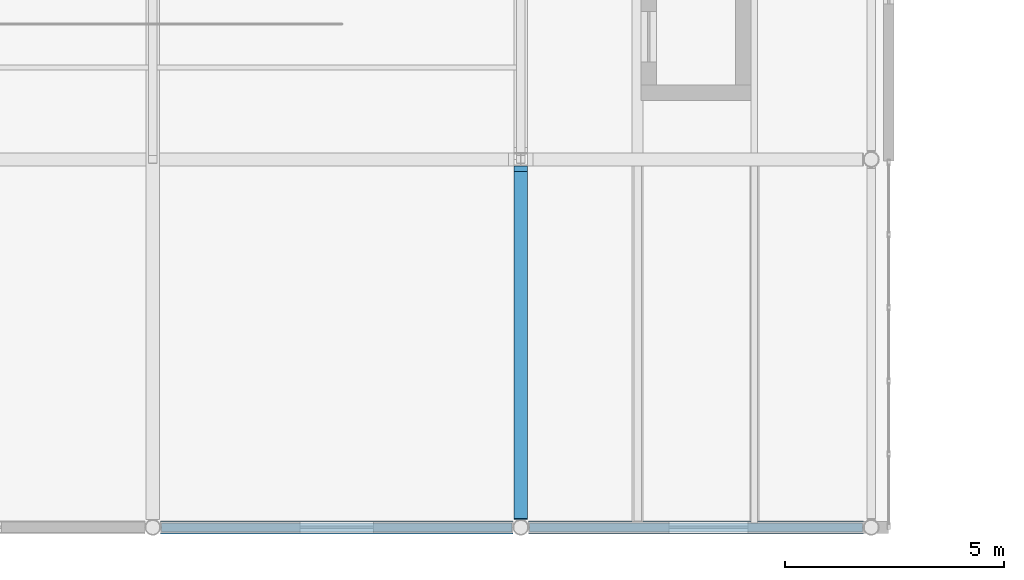
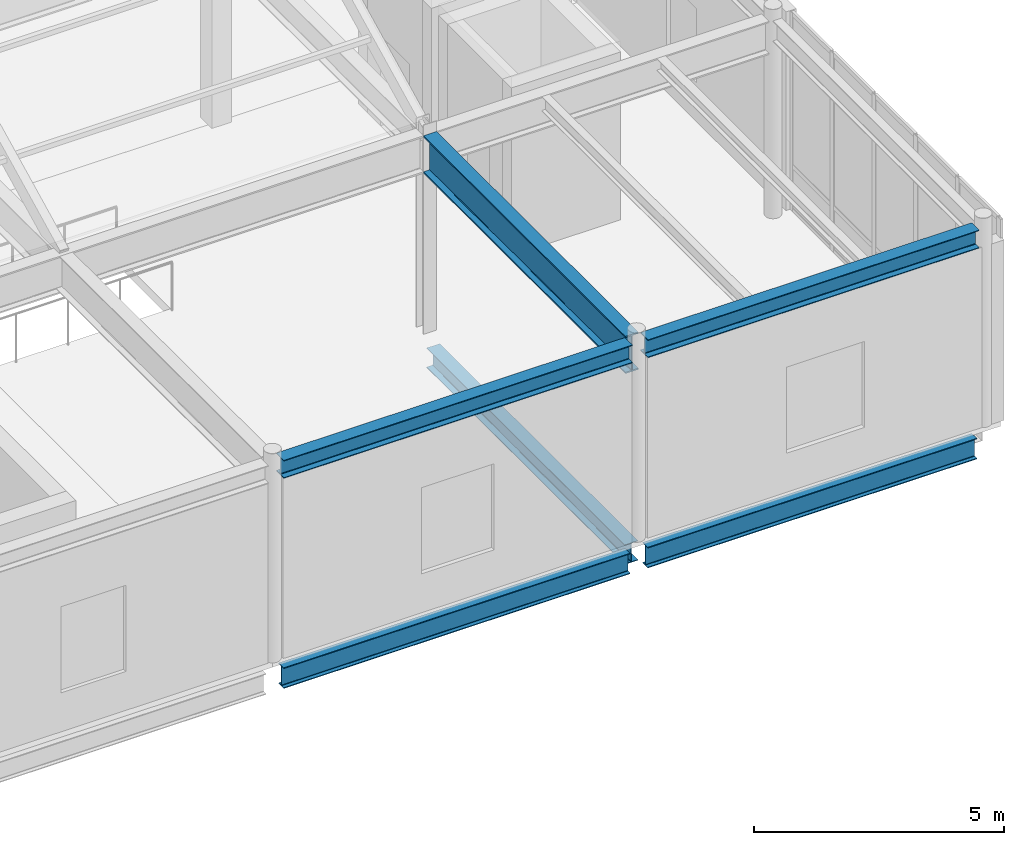
# One storey, part 40 of 91: 6 beams.
"""IFC4 building model written with IfcOpenShell, lengths in metres."""

from ifc_helpers import new_model, si_unit, direction, frame, origin, origin_2d, place, context, subcontext, project, spatial, i_section, extrude, material, material_profile, profile_set, type_object, element, save


model = new_model("IFC4")

# Units and contexts
model_context = context("Model", 3, precision=1e-05, world=origin(), true_north=direction((0.0, 1.0)))
body_context = subcontext(model_context, "Body", "Model", "MODEL_VIEW")
ifc_project = project(units=[si_unit("LENGTHUNIT", "METRE"), si_unit("AREAUNIT", "SQUARE_METRE"), si_unit("VOLUMEUNIT", "CUBIC_METRE"), si_unit("PLANEANGLEUNIT", "RADIAN"), si_unit("MASSUNIT", "GRAM", prefix="KILO"), si_unit("THERMODYNAMICTEMPERATUREUNIT", "KELVIN")], contexts=[model_context])

# Site, building, storey
site_placement = place(None, origin())
site = spatial("IfcSite", under=ifc_project, at=site_placement, CompositionType="ELEMENT")
building_placement = place(site_placement, origin())
building = spatial("IfcBuilding", under=site, at=building_placement, Name="Lustrewick Department Store", CompositionType="ELEMENT")
storey_placement = place(building_placement, frame((0.0, 0.0, 21.60009765625)))
storey = spatial("IfcBuildingStorey", under=building, at=storey_placement, Name="L05", CompositionType="ELEMENT", Elevation=21.60009765625)

# Beams
ifc_material_1 = material(Name="Structural steel Q355C", Category="steel")
ifc_material_profile_1 = material_profile(ifc_material_1, i_section(OverallWidth=0.302001953125, OverallDepth=0.912109375, WebThickness=0.01806640625, FlangeThickness=0.033935546875, FilletRadius=0.02392578125, at=origin_2d()), Name="HN 912x302x18x34")
ifc_profile_set_1 = profile_set([ifc_material_profile_1], Name="Structural steel Q355C")
beam_type_1 = type_object("IfcBeamType", Name="G01", PredefinedType="BEAM", material=ifc_profile_set_1)
beam_1_placement = place(storey_placement, frame((142.800048828125, 16.97802734375, 4.388916015625), z_axis=(0.0, 1.0, 0.0), x_axis=(-1.0, 0.0, 0.0)))
element("IfcBeam", 1, at=beam_1_placement, inside=storey, type_object=beam_type_1, Name="L05 V3 Girder G01", PredefinedType="BEAM", context=body_context, shape_type="SweptSolid", body=[
    extrude(i_section(OverallWidth=0.302001953125, OverallDepth=0.912109375, WebThickness=0.01806640625, FlangeThickness=0.033935546875, FilletRadius=0.02392578125, at=origin_2d()), origin(), (0.0, 0.0, 1.0), 8.072021484375),
])
ifc_material_2 = material(Name="Structural steel Q355B", Category="steel")
ifc_material_profile_2 = material_profile(ifc_material_2, i_section(OverallWidth=0.300048828125, OverallDepth=0.48193359375, WebThickness=0.010986328125, FlangeThickness=0.014892578125, FilletRadius=0.02197265625, at=origin_2d()), Name="HM 482x300x11x15")
ifc_profile_set_2 = profile_set([ifc_material_profile_2], Name="Structural steel Q355B")
beam_type_2 = type_object("IfcBeamType", Name="G20", PredefinedType="BEAM", material=ifc_profile_set_2)
beam_2_placement = place(storey_placement, frame((142.800048828125, 17.0029296875, -0.49609375), z_axis=(0.0, 1.0, 0.0), x_axis=(-1.0, 0.0, 0.0)))
element("IfcBeam", 2, at=beam_2_placement, inside=storey, type_object=beam_type_2, Name="L05 V3 Girder G20", PredefinedType="BEAM", context=body_context, shape_type="SweptSolid", body=[
    extrude(i_section(OverallWidth=0.300048828125, OverallDepth=0.48193359375, WebThickness=0.010986328125, FlangeThickness=0.014892578125, FilletRadius=0.02197265625, at=origin_2d()), origin(), (0.0, 0.0, 1.0), 7.922119140625),
])
ifc_material_profile_3 = material_profile(ifc_material_2, i_section(OverallWidth=0.200927734375, OverallDepth=0.506103515625, WebThickness=0.010986328125, FlangeThickness=0.01904296875, FilletRadius=0.01611328125, at=origin_2d()), Name="HN 506x201x11x19")
ifc_profile_set_3 = profile_set([ifc_material_profile_3], Name="Structural steel Q355B")
beam_type_3 = type_object("IfcBeamType", Name="SP01", PredefinedType="SPANDREL", material=ifc_profile_set_3)
beam_3_placement = place(storey_placement, frame((134.60302734375, 16.800048828125, -0.508056640625), z_axis=(1.0, 0.0, 0.0), x_axis=(0.0, 1.0, 0.0)))
element("IfcBeam", 3, at=beam_3_placement, inside=storey, type_object=beam_type_3, Name="L05 V3 Girder SP01", PredefinedType="SPANDREL", context=body_context, shape_type="SweptSolid", body=[
    extrude(i_section(OverallWidth=0.200927734375, OverallDepth=0.506103515625, WebThickness=0.010986328125, FlangeThickness=0.01904296875, FilletRadius=0.01611328125, at=origin_2d()), origin(), (0.0, 0.0, 1.0), 7.993896484375),
])
beam_4_placement = place(storey_placement, frame((143.0029296875, 16.800048828125, -0.508056640625), z_axis=(1.0, 0.0, 0.0), x_axis=(0.0, 1.0, 0.0)))
element("IfcBeam", 4, at=beam_4_placement, inside=storey, type_object=beam_type_3, Name="L05 V3 Girder SP01", PredefinedType="SPANDREL", context=body_context, shape_type="SweptSolid", body=[
    extrude(i_section(OverallWidth=0.200927734375, OverallDepth=0.506103515625, WebThickness=0.010986328125, FlangeThickness=0.01904296875, FilletRadius=0.01611328125, at=origin_2d()), origin(), (0.0, 0.0, 1.0), 7.593994140625),
])
ifc_material_profile_4 = material_profile(ifc_material_2, i_section(OverallWidth=0.300048828125, OverallDepth=0.43994140625, WebThickness=0.010986328125, FlangeThickness=0.01806640625, FilletRadius=0.02001953125, at=origin_2d()), Name="HM 440x300x11x18")
ifc_profile_set_4 = profile_set([ifc_material_profile_4], Name="Structural steel Q355B")
beam_type_4 = type_object("IfcBeamType", Name="SP02", PredefinedType="SPANDREL", material=ifc_profile_set_4)
beam_5_placement = place(storey_placement, frame((134.577880859375, 16.800048828125, 4.625), z_axis=(1.0, 0.0, 0.0), x_axis=(0.0, 1.0, 0.0)))
element("IfcBeam", 5, at=beam_5_placement, inside=storey, type_object=beam_type_4, Name="L05 V3 Girder SP02", PredefinedType="SPANDREL", context=body_context, shape_type="SweptSolid", body=[
    extrude(i_section(OverallWidth=0.300048828125, OverallDepth=0.43994140625, WebThickness=0.010986328125, FlangeThickness=0.01806640625, FilletRadius=0.02001953125, at=origin_2d()), origin(), (0.0, 0.0, 1.0), 8.044189453125),
])
beam_6_placement = place(storey_placement, frame((142.97802734375, 16.800048828125, 4.625), z_axis=(1.0, 0.0, 0.0), x_axis=(0.0, 1.0, 0.0)))
element("IfcBeam", 6, at=beam_6_placement, inside=storey, type_object=beam_type_4, Name="L05 V3 Girder SP02", PredefinedType="SPANDREL", context=body_context, shape_type="SweptSolid", body=[
    extrude(i_section(OverallWidth=0.300048828125, OverallDepth=0.43994140625, WebThickness=0.010986328125, FlangeThickness=0.01806640625, FilletRadius=0.02001953125, at=origin_2d()), origin(), (0.0, 0.0, 1.0), 7.64404296875),
])

save(model, "model.ifc")
